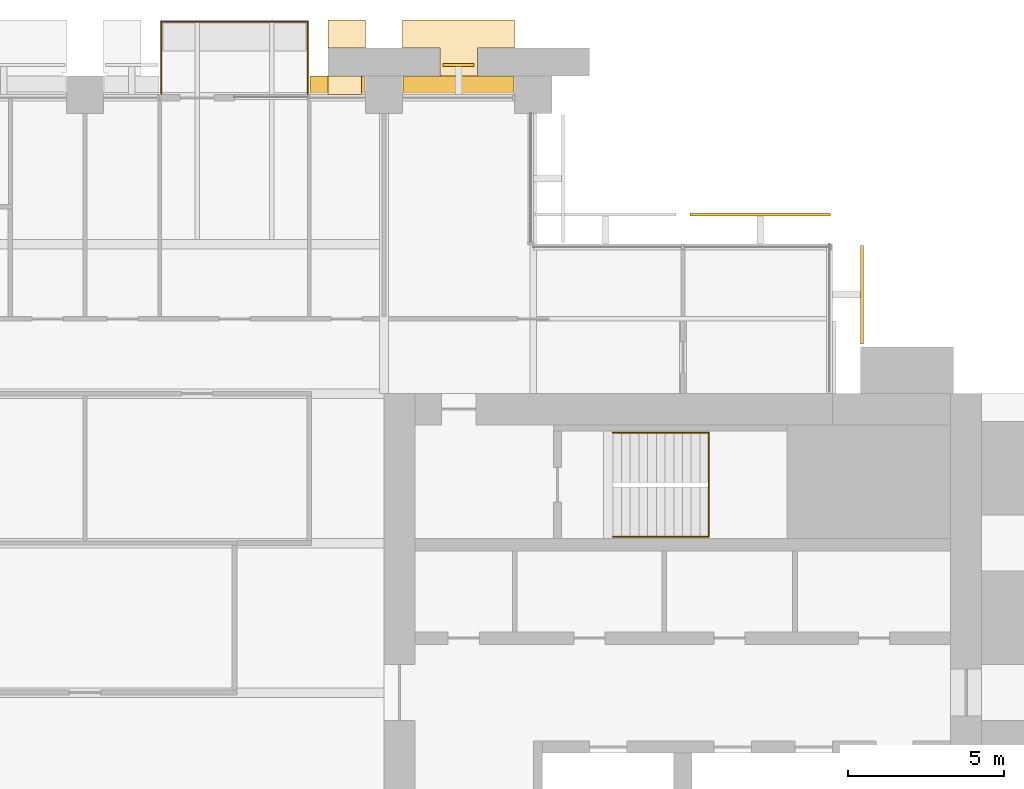
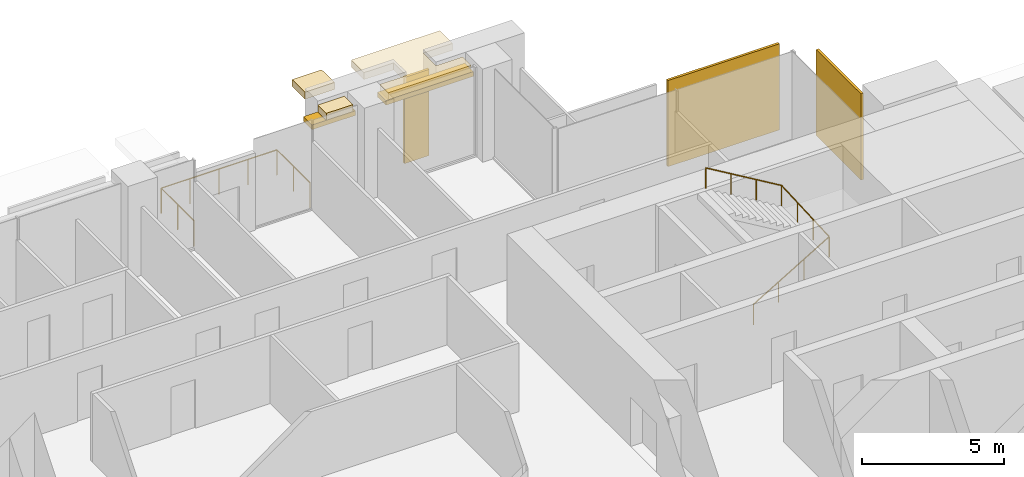
# One storey, part 15 of 15: 6 coverings, 2 railings, 2 shading devices.
"""IFC4 building model written with IfcOpenShell, lengths in metres."""

from ifc_helpers import new_model, si_unit, direction, frame, origin, origin_2d, place, context, subcontext, project, spatial, polyline, rectangle, circle, outline, extrude, material, layer, layer_set, type_object, element, save


model = new_model("IFC4")

# Units and contexts
model_context = context("Model", 3, precision=1e-05, world=origin(), true_north=direction((0.0, 1.0)))
body_context = subcontext(model_context, "Body", "Model", "MODEL_VIEW")
ifc_project = project(units=[si_unit("LENGTHUNIT", "METRE"), si_unit("AREAUNIT", "SQUARE_METRE"), si_unit("VOLUMEUNIT", "CUBIC_METRE"), si_unit("PLANEANGLEUNIT", "RADIAN"), si_unit("MASSUNIT", "GRAM", prefix="KILO")], contexts=[model_context])

# Site, building, storey
site_placement = place(None, origin())
site = spatial("IfcSite", under=ifc_project, at=site_placement, CompositionType="ELEMENT")
building_placement = place(site_placement, origin())
building = spatial("IfcBuilding", under=site, at=building_placement, Name="Baori Bourse Tower", CompositionType="ELEMENT")
storey_placement = place(building_placement, frame((0.0, 0.0, 140.10009765625)))
storey = spatial("IfcBuildingStorey", under=building, at=storey_placement, Name="L30", CompositionType="ELEMENT", Elevation=140.10009765625)

# Coverings
ifc_material_1 = material(Name="Pale anodised aluminium", Category="aluminium")
covering_type_1 = type_object("IfcCoveringType", Name="BD1 Pale metal band", PredefinedType="CLADDING", material=ifc_material_1)
covering_1_placement = place(storey_placement, frame((0.0, 0.0, 3.539794921875)))
element("IfcCovering", 1, at=covering_1_placement, inside=storey, type_object=covering_type_1, Name="Pale projecting band L30 2", PredefinedType="CLADDING", context=body_context, shape_type="SweptSolid", body=[
    extrude(outline(polyline([(39.1201171875, 48.0), (42.47998046875, 48.0), (42.47998046875, 48.60009765625), (41.39990234375, 48.60009765625), (41.39990234375, 49.5), (42.60009765625, 49.5), (42.60009765625, 50.39990234375), (39.0, 50.39990234375), (39.0, 49.5), (40.199951171875, 49.5), (40.199951171875, 48.60009765625), (39.1201171875, 48.60009765625), (39.1201171875, 48.0)])), origin(), (0.0, 0.0, 1.0), 0.300048828125),
])
covering_2_placement = place(storey_placement, frame((0.0, 0.0, 3.539794921875)))
element("IfcCovering", 2, at=covering_2_placement, inside=storey, type_object=covering_type_1, Name="Pale projecting band L30 3", PredefinedType="CLADDING", context=body_context, shape_type="SweptSolid", body=[
    extrude(outline(polyline([(37.800048828125, 50.39990234375), (36.60009765625, 50.39990234375), (36.60009765625, 49.5), (37.800048828125, 49.5), (37.800048828125, 50.39990234375)])), origin(), (0.0, 0.0, 1.0), 0.300048828125),
])
covering_3_placement = place(storey_placement, frame((0.0, 0.0, 3.539794921875)))
element("IfcCovering", 3, at=covering_3_placement, inside=storey, type_object=covering_type_1, Name="Pale projecting band L30 4", PredefinedType="CLADDING", context=body_context, shape_type="SweptSolid", body=[
    extrude(outline(polyline([(36.60009765625, 48.0), (37.679931640625, 48.0), (37.679931640625, 48.60009765625), (36.60009765625, 48.60009765625), (36.60009765625, 48.0)])), origin(), (0.0, 0.0, 1.0), 0.300048828125),
])

# Shading devices
ifc_material_2 = material(Name="Concrete f'c 40 MPa", Category="concrete")
ifc_layer_1 = layer(ifc_material_2, 0.199951171875)
ifc_layer_set_1 = layer_set([ifc_layer_1], Name="BS1 Brise-soleil ledge")
shading_device_type = type_object("IfcShadingDeviceType", Name="BS1 Brise-soleil ledge", PredefinedType="USERDEFINED", material=ifc_layer_set_1)
shading_device_1_placement = place(storey_placement, frame((40.800048828125, 48.300048828125, 3.33984375), z_axis=(0.0, 0.0, 1.0), x_axis=(-1.0, 0.0, 0.0)))
element("IfcShadingDevice", 4, at=shading_device_1_placement, inside=storey, type_object=shading_device_type, Name="Brise-soleil ledge L30 1", ObjectType="BRISE SOLEIL", PredefinedType="USERDEFINED", context=body_context, shape_type="SweptSolid", body=[
    extrude(rectangle(XDim=3.56005859375, YDim=0.60009765625, at=origin_2d()), origin(), (0.0, 0.0, 1.0), 0.199951171875),
])
shading_device_2_placement = place(storey_placement, frame((36.89990234375, 48.300048828125, 3.33984375), z_axis=(0.0, 0.0, 1.0), x_axis=(-1.0, 0.0, 0.0)))
element("IfcShadingDevice", 5, at=shading_device_2_placement, inside=storey, type_object=shading_device_type, Name="Brise-soleil ledge L30 2", ObjectType="BRISE SOLEIL", PredefinedType="USERDEFINED", context=body_context, shape_type="SweptSolid", body=[
    extrude(rectangle(XDim=1.760009765625, YDim=0.60009765625, at=origin_2d()), origin(), (0.0, 0.0, 1.0), 0.199951171875),
])

# Railings
ifc_material_3 = material(Name="Powder-coated steel balustrade", Category="steel")
railing_type_1 = type_object("IfcRailingType", Name="Core stair handrail", PredefinedType="HANDRAIL", material=ifc_material_3)
railing_1_placement = place(storey_placement, frame((45.75, 33.800048828125, 0.16650390625)))
element("IfcRailing", 6, at=railing_1_placement, inside=storey, type_object=railing_type_1, Name="L30 ST4 stair handrail 1", PredefinedType="HANDRAIL", context=body_context, shape_type="SweptSolid", body=[
    extrude(circle(Radius=0.02392578125, at=origin_2d()), frame((0.0, 0.0, 0.8759765625), z_axis=(0.85927862911, 0.0, 0.511507807912), x_axis=(0.0, 1.0, 0.0)), (0.0, 0.0, 1.0), 3.58447265625),
    extrude(circle(Radius=0.02392578125, at=origin_2d()), frame((3.080078125, 0.0, 2.70947265625), z_axis=(0.0, 0.998766999029, 0.049643545903), x_axis=(-1.0, 0.0, 0.0)), (0.0, 0.0, 1.0), 3.35400390625),
    extrude(circle(Radius=0.02392578125, at=origin_2d()), frame((3.080078125, 3.349853515625, 2.8759765625), z_axis=(-0.85927862911, 0.0, 0.511507807912), x_axis=(0.0, -1.0, 0.0)), (0.0, 0.0, 1.0), 3.58447265625),
    extrude(circle(Radius=0.02099609375, at=origin_2d()), origin(), (0.0, 0.0, 1.0), 0.851806640625),
    extrude(circle(Radius=0.02099609375, at=origin_2d()), frame((1.026611328125, 0.0, 0.611083984375)), (0.0, 0.0, 1.0), 0.851806640625),
    extrude(circle(Radius=0.02099609375, at=origin_2d()), frame((2.053466796875, 0.0, 1.222412109375)), (0.0, 0.0, 1.0), 0.851806640625),
    extrude(circle(Radius=0.02099609375, at=origin_2d()), frame((3.080078125, 0.0, 1.83349609375)), (0.0, 0.0, 1.0), 0.851806640625),
    extrude(circle(Radius=0.02099609375, at=origin_2d()), frame((3.080078125, 1.11669921875, 1.888916015625)), (0.0, 0.0, 1.0), 0.851806640625),
    extrude(circle(Radius=0.02099609375, at=origin_2d()), frame((3.080078125, 2.233154296875, 1.944580078125)), (0.0, 0.0, 1.0), 0.851806640625),
    extrude(circle(Radius=0.02099609375, at=origin_2d()), frame((3.080078125, 3.349853515625, 2.0)), (0.0, 0.0, 1.0), 0.851806640625),
    extrude(circle(Radius=0.02099609375, at=origin_2d()), frame((2.053466796875, 3.349853515625, 2.611083984375)), (0.0, 0.0, 1.0), 0.851806640625),
    extrude(circle(Radius=0.02099609375, at=origin_2d()), frame((1.026611328125, 3.349853515625, 3.222412109375)), (0.0, 0.0, 1.0), 0.851806640625),
    extrude(circle(Radius=0.02099609375, at=origin_2d()), frame((0.0, 3.349853515625, 3.83349609375)), (0.0, 0.0, 1.0), 0.851806640625),
])
ifc_material_4 = material(Name="Stainless steel", Category="steel")
railing_type_2 = type_object("IfcRailingType", Name="GD1 Guard", PredefinedType="GUARDRAIL", material=ifc_material_4)
railing_2_placement = place(storey_placement, frame((31.25, 48.030029296875, 0.0)))
element("IfcRailing", 7, at=railing_2_placement, inside=storey, type_object=railing_type_2, Name="Guard balcony N L30 2", PredefinedType="GUARDRAIL", context=body_context, shape_type="SweptSolid", body=[
    extrude(circle(Radius=0.02392578125, at=origin_2d()), frame((0.0, 0.0, 1.076171875), z_axis=(0.0, 1.0, 0.0), x_axis=(-1.0, 0.0, 0.0)), (0.0, 0.0, 1.0), 2.320068359375),
    extrude(circle(Radius=0.02392578125, at=origin_2d()), frame((0.0, 2.320068359375, 1.076171875), z_axis=(1.0, 0.0, 0.0), x_axis=(0.0, 1.0, 0.0)), (0.0, 0.0, 1.0), 4.699951171875),
    extrude(circle(Radius=0.02392578125, at=origin_2d()), frame((4.699951171875, 2.320068359375, 1.076171875), z_axis=(0.0, -1.0, 0.0), x_axis=(1.0, 0.0, 0.0)), (0.0, 0.0, 1.0), 2.320068359375),
    extrude(circle(Radius=0.02099609375, at=origin_2d()), origin(), (0.0, 0.0, 1.0), 1.052001953125),
    extrude(circle(Radius=0.02099609375, at=origin_2d()), frame((0.0, 1.16015625, 0.0)), (0.0, 0.0, 1.0), 1.052001953125),
    extrude(circle(Radius=0.02099609375, at=origin_2d()), frame((0.0, 2.320068359375, 0.0)), (0.0, 0.0, 1.0), 1.052001953125),
    extrude(circle(Radius=0.02099609375, at=origin_2d()), frame((1.175048828125, 2.320068359375, 0.0)), (0.0, 0.0, 1.0), 1.052001953125),
    extrude(circle(Radius=0.02099609375, at=origin_2d()), frame((2.35009765625, 2.320068359375, 0.0)), (0.0, 0.0, 1.0), 1.052001953125),
    extrude(circle(Radius=0.02099609375, at=origin_2d()), frame((3.52490234375, 2.320068359375, 0.0)), (0.0, 0.0, 1.0), 1.052001953125),
    extrude(circle(Radius=0.02099609375, at=origin_2d()), frame((4.699951171875, 2.320068359375, 0.0)), (0.0, 0.0, 1.0), 1.052001953125),
    extrude(circle(Radius=0.02099609375, at=origin_2d()), frame((4.699951171875, 1.16015625, 0.0)), (0.0, 0.0, 1.0), 1.052001953125),
    extrude(circle(Radius=0.02099609375, at=origin_2d()), frame((4.699951171875, 0.0, 0.0)), (0.0, 0.0, 1.0), 1.052001953125),
])

# Coverings
ifc_material_5 = material(Name="Pale anodised aluminium", Category="aluminium")
ifc_layer_2 = layer(ifc_material_5, 0.10009765625)
ifc_layer_set_2 = layer_set([ifc_layer_2], Name="OS3 Outer skin screen panel")
covering_type_2 = type_object("IfcCoveringType", Name="OS3 Outer skin screen panel", PredefinedType="CLADDING", material=ifc_layer_set_2)
covering_4_placement = place(storey_placement, frame((0.0, 0.0, -0.16015625)))
element("IfcCovering", 8, at=covering_4_placement, inside=storey, type_object=covering_type_2, Name="Outer skin screen L30 1", PredefinedType="CLADDING", context=body_context, shape_type="SweptSolid", body=[
    extrude(outline(polyline([(53.699951171875, 43.14990234375), (53.699951171875, 40.0), (53.800048828125, 40.0), (53.800048828125, 43.14990234375), (53.699951171875, 43.14990234375)])), origin(), (0.0, 0.0, 1.0), 3.699951171875),
])
covering_5_placement = place(storey_placement, frame((0.0, 0.0, -0.16015625)))
element("IfcCovering", 9, at=covering_5_placement, inside=storey, type_object=covering_type_2, Name="Outer skin screen L30 2", PredefinedType="CLADDING", context=body_context, shape_type="SweptSolid", body=[
    extrude(outline(polyline([(48.22509765625, 44.10009765625), (52.75, 44.10009765625), (52.75, 44.199951171875), (48.22509765625, 44.199951171875), (48.22509765625, 44.10009765625)])), origin(), (0.0, 0.0, 1.0), 3.699951171875),
])
covering_6_placement = place(storey_placement, frame((0.0, 0.0, -0.16015625)))
element("IfcCovering", 10, at=covering_6_placement, inside=storey, type_object=covering_type_2, Name="Outer skin screen L30 5", PredefinedType="CLADDING", context=body_context, shape_type="SweptSolid", body=[
    extrude(outline(polyline([(40.300048828125, 48.89990234375), (41.300048828125, 48.89990234375), (41.300048828125, 49.0), (40.300048828125, 49.0), (40.300048828125, 48.89990234375)])), origin(), (0.0, 0.0, 1.0), 3.699951171875),
])

save(model, "model.ifc")
